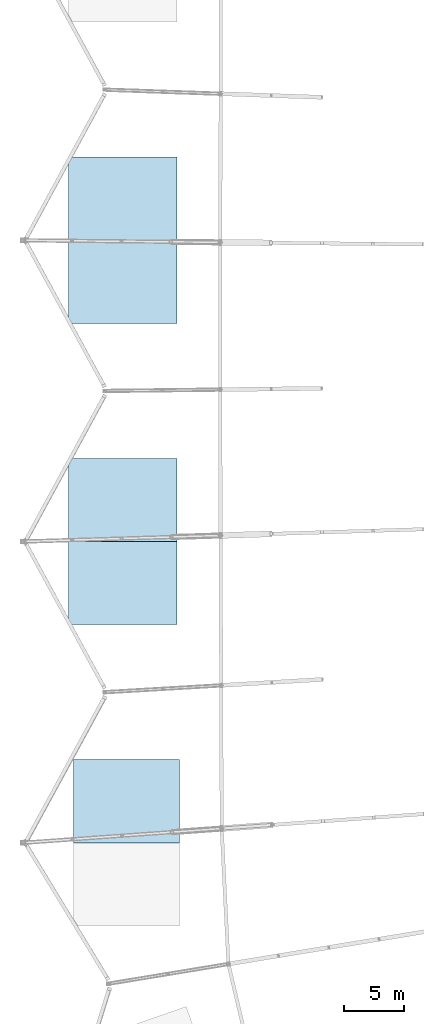
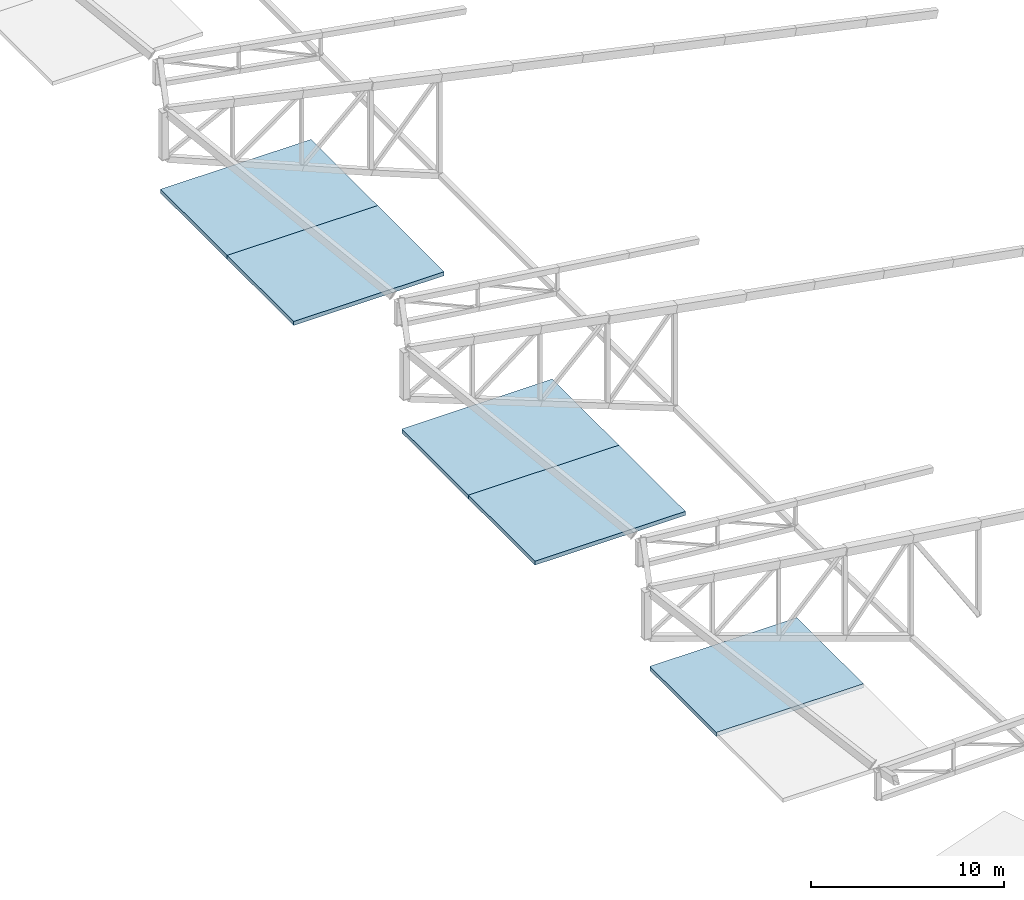
# One storey, part 116 of 188: 5 slabs.
"""IFC4 building model written with IfcOpenShell, lengths in metres."""

from ifc_helpers import new_model, si_unit, direction, frame, origin, place, context, subcontext, project, spatial, polyline, outline, extrude, material, layer, layer_set, type_object, element, save


model = new_model("IFC4")

# Units and contexts
model_context = context("Model", 3, precision=1e-05, world=origin(), true_north=direction((0.0, 1.0)))
body_context = subcontext(model_context, "Body", "Model", "MODEL_VIEW")
ifc_project = project(units=[si_unit("LENGTHUNIT", "METRE"), si_unit("AREAUNIT", "SQUARE_METRE"), si_unit("VOLUMEUNIT", "CUBIC_METRE"), si_unit("PLANEANGLEUNIT", "RADIAN"), si_unit("MASSUNIT", "GRAM", prefix="KILO")], contexts=[model_context])

# Site, building, storey
site_placement = place(None, origin())
site = spatial("IfcSite", under=ifc_project, at=site_placement, CompositionType="ELEMENT")
building_placement = place(site_placement, origin())
building = spatial("IfcBuilding", under=site, at=building_placement, Name="Meseta Stadium", CompositionType="ELEMENT")
storey_placement = place(building_placement, frame((0.0, 0.0, 30.0)))
storey = spatial("IfcBuildingStorey", under=building, at=storey_placement, Name="ROOF", CompositionType="ELEMENT", Elevation=30.0)

# Slabs
ifc_material = material(Name="Concrete C40/50", Category="concrete")
ifc_layer = layer(ifc_material, 0.25)
ifc_layer_set = layer_set([ifc_layer], Name="Core roof slab 250")
slab_type = type_object("IfcSlabType", Name="Core roof slab 250", PredefinedType="ROOF", material=ifc_layer_set)
slab_1_placement = place(storey_placement, frame((0.0, 0.0, -0.25)))
element("IfcSlab", 1, at=slab_1_placement, inside=storey, type_object=slab_type, Name="Core 17 stair A roof", PredefinedType="ROOF", context=body_context, shape_type="SweptSolid", body=[
    extrude(outline(polyline([(-97.60009765625, 13.14990234375), (-88.60009765625, 13.14990234375), (-88.60009765625, 6.25), (-97.60009765625, 6.25), (-97.60009765625, 13.14990234375)])), origin(), (0.0, 0.0, 1.0), 0.25),
])
slab_2_placement = place(storey_placement, frame((0.0, 0.0, -0.25)))
element("IfcSlab", 2, at=slab_2_placement, inside=storey, type_object=slab_type, Name="Core 17 stair B roof", PredefinedType="ROOF", context=body_context, shape_type="SweptSolid", body=[
    extrude(outline(polyline([(-97.60009765625, 6.25), (-88.60009765625, 6.25), (-88.60009765625, -0.64990234375), (-97.60009765625, -0.64990234375), (-97.60009765625, 6.25)])), origin(), (0.0, 0.0, 1.0), 0.25),
])
slab_3_placement = place(storey_placement, frame((0.0, 0.0, -0.25)))
element("IfcSlab", 3, at=slab_3_placement, inside=storey, type_object=slab_type, Name="Core 18 stair A roof", PredefinedType="ROOF", context=body_context, shape_type="SweptSolid", body=[
    extrude(outline(polyline([(-97.60009765625, -11.85009765625), (-88.60009765625, -11.85009765625), (-88.60009765625, -18.75), (-97.60009765625, -18.75), (-97.60009765625, -11.85009765625)])), origin(), (0.0, 0.0, 1.0), 0.25),
])
slab_4_placement = place(storey_placement, frame((0.0, 0.0, -0.25)))
element("IfcSlab", 4, at=slab_4_placement, inside=storey, type_object=slab_type, Name="Core 18 stair B roof", PredefinedType="ROOF", context=body_context, shape_type="SweptSolid", body=[
    extrude(outline(polyline([(-97.60009765625, -18.75), (-88.60009765625, -18.75), (-88.60009765625, -25.64990234375), (-97.60009765625, -25.64990234375), (-97.60009765625, -18.75)])), origin(), (0.0, 0.0, 1.0), 0.25),
])
slab_5_placement = place(storey_placement, frame((0.0, 0.0, -0.25)))
element("IfcSlab", 5, at=slab_5_placement, inside=storey, type_object=slab_type, Name="Core 19 stair A roof", PredefinedType="ROOF", context=body_context, shape_type="SweptSolid", body=[
    extrude(outline(polyline([(-97.199951171875, -36.85009765625), (-88.39990234375, -36.85009765625), (-88.39990234375, -43.75), (-97.199951171875, -43.75), (-97.199951171875, -36.85009765625)])), origin(), (0.0, 0.0, 1.0), 0.25),
])

save(model, "model.ifc")
